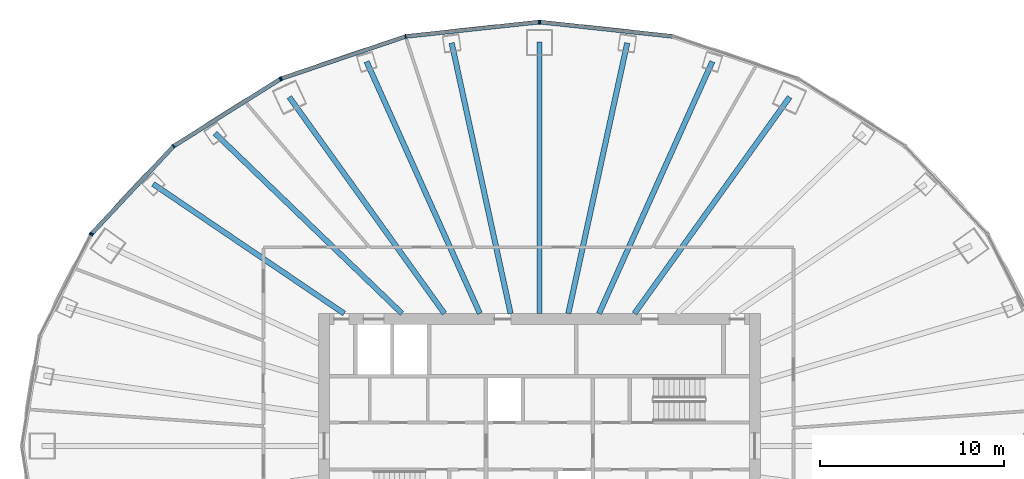
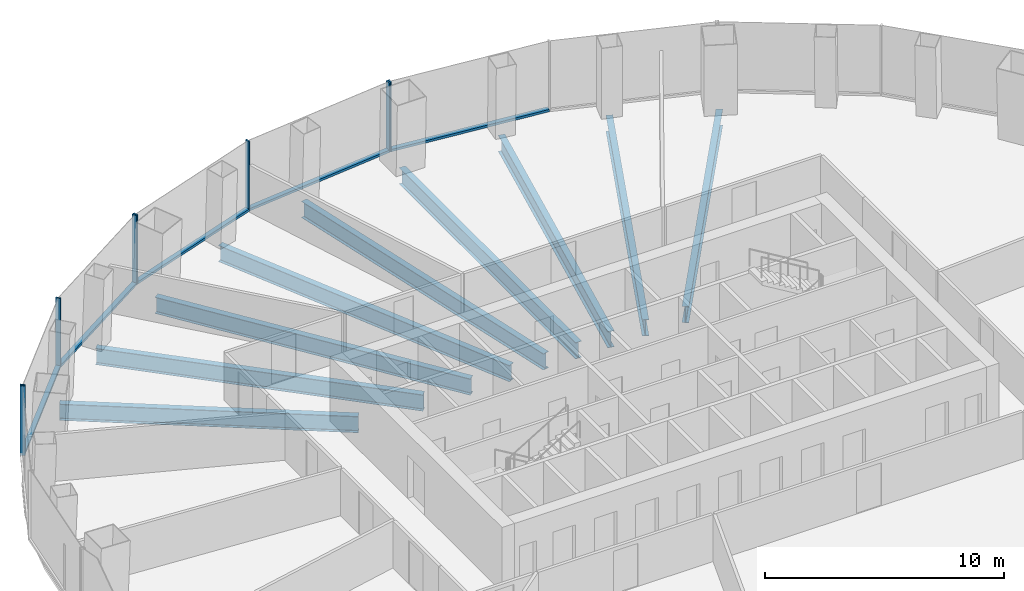
# One storey, part 5 of 11: 13 members, 9 beams, 4 elements without a shape of their own.
"""IFC4 building model written with IfcOpenShell, lengths in metres."""

from ifc_helpers import new_model, si_unit, direction, frame, origin, origin_2d, place, context, subcontext, project, spatial, rectangle, i_section, extrude, material, layer, layer_set, material_profile, profile_set, type_object, element, aggregate, save


model = new_model("IFC4")

# Units and contexts
model_context = context("Model", 3, precision=1e-05, world=origin(), true_north=direction((0.0, 1.0)))
body_context = subcontext(model_context, "Body", "Model", "MODEL_VIEW")
ifc_project = project(units=[si_unit("LENGTHUNIT", "METRE"), si_unit("AREAUNIT", "SQUARE_METRE"), si_unit("VOLUMEUNIT", "CUBIC_METRE"), si_unit("PLANEANGLEUNIT", "RADIAN"), si_unit("MASSUNIT", "GRAM", prefix="KILO")], contexts=[model_context])

# Site, building, storey
site_placement = place(None, origin())
site = spatial("IfcSite", under=ifc_project, at=site_placement, CompositionType="ELEMENT")
building_placement = place(site_placement, origin())
building = spatial("IfcBuilding", under=site, at=building_placement, Name="Siaravel Broadcast Tower", CompositionType="ELEMENT")
storey_placement = place(building_placement, frame((0.0, 0.0, 40.800048828125)))
storey = spatial("IfcBuildingStorey", under=building, at=storey_placement, Name="L08", CompositionType="ELEMENT", Elevation=40.800048828125)

# Beams
ifc_material_1 = material(Name="Steel S355", Category="steel")
ifc_material_profile_1 = material_profile(ifc_material_1, i_section(OverallWidth=0.291748046875, OverallDepth=0.8349609375, WebThickness=0.013916015625, FlangeThickness=0.018798828125, FilletRadius=0.017822265625, at=origin_2d()))
ifc_profile_set_1 = profile_set([ifc_material_profile_1], Name="Steel S355")
beam_type = type_object("IfcBeamType", Name="BM-UB 838x292x176", PredefinedType="BEAM", material=ifc_profile_set_1)
beam_1_placement = place(storey_placement, frame((13.5947265625, 18.960205078125, -0.567626953125), z_axis=(-0.582699127, -0.812687965, 0.0), x_axis=(0.812687965, -0.582699127, 0.0)))
element("IfcBeam", 1, at=beam_1_placement, inside=storey, type_object=beam_type, Name="Radial beam RB07", PredefinedType="BEAM", context=body_context, shape_type="SweptSolid", body=[
    extrude(i_section(OverallWidth=0.291748046875, OverallDepth=0.8349609375, WebThickness=0.013916015625, FlangeThickness=0.018798828125, FilletRadius=0.017822265625, at=origin_2d()), origin(), (0.0, 0.0, 1.0), 14.470703125),
])
beam_2_placement = place(storey_placement, frame((9.392578125, 20.885498046875, -0.567626953125), z_axis=(-0.410159013, -0.912014026, 0.0), x_axis=(0.912014026, -0.410159013, 0.0)))
element("IfcBeam", 2, at=beam_2_placement, inside=storey, type_object=beam_type, Name="Radial beam RB08", PredefinedType="BEAM", context=body_context, shape_type="SweptSolid", body=[
    extrude(i_section(OverallWidth=0.291748046875, OverallDepth=0.8349609375, WebThickness=0.013916015625, FlangeThickness=0.018798828125, FilletRadius=0.017822265625, at=origin_2d()), origin(), (0.0, 0.0, 1.0), 15.005859375),
])
beam_3_placement = place(storey_placement, frame((4.7705078125, 21.89990234375, -0.567626953125), z_axis=(-0.212842612, -0.977086497, 0.0), x_axis=(0.977086497, -0.212842612, 0.0)))
element("IfcBeam", 3, at=beam_3_placement, inside=storey, type_object=beam_type, Name="Radial beam RB09", PredefinedType="BEAM", context=body_context, shape_type="SweptSolid", body=[
    extrude(i_section(OverallWidth=0.291748046875, OverallDepth=0.8349609375, WebThickness=0.013916015625, FlangeThickness=0.018798828125, FilletRadius=0.017822265625, at=origin_2d()), origin(), (0.0, 0.0, 1.0), 15.044677734375),
])
beam_4_placement = place(storey_placement, frame((0.0, 21.94189453125, -0.567626953125), z_axis=(0.0, -1.0, 0.0), x_axis=(1.0, 0.0, 0.0)))
element("IfcBeam", 4, at=beam_4_placement, inside=storey, type_object=beam_type, Name="Radial beam RB10", PredefinedType="BEAM", context=body_context, shape_type="SweptSolid", body=[
    extrude(i_section(OverallWidth=0.291748046875, OverallDepth=0.8349609375, WebThickness=0.013916015625, FlangeThickness=0.018798828125, FilletRadius=0.017822265625, at=origin_2d()), origin(), (0.0, 0.0, 1.0), 14.741943359375),
])
beam_5_placement = place(storey_placement, frame((-4.7705078125, 21.89990234375, -0.567626953125), z_axis=(0.212842612, -0.977086497, 0.0), x_axis=(0.977086497, 0.212842612, 0.0)))
element("IfcBeam", 5, at=beam_5_placement, inside=storey, type_object=beam_type, Name="Radial beam RB11", PredefinedType="BEAM", context=body_context, shape_type="SweptSolid", body=[
    extrude(i_section(OverallWidth=0.291748046875, OverallDepth=0.8349609375, WebThickness=0.013916015625, FlangeThickness=0.018798828125, FilletRadius=0.017822265625, at=origin_2d()), origin(), (0.0, 0.0, 1.0), 15.044677734375),
])
beam_6_placement = place(storey_placement, frame((-9.392578125, 20.885498046875, -0.567626953125), z_axis=(0.410159013, -0.912014026, 0.0), x_axis=(0.912014026, 0.410159013, 0.0)))
element("IfcBeam", 6, at=beam_6_placement, inside=storey, type_object=beam_type, Name="Radial beam RB12", PredefinedType="BEAM", context=body_context, shape_type="SweptSolid", body=[
    extrude(i_section(OverallWidth=0.291748046875, OverallDepth=0.8349609375, WebThickness=0.013916015625, FlangeThickness=0.018798828125, FilletRadius=0.017822265625, at=origin_2d()), origin(), (0.0, 0.0, 1.0), 15.005859375),
])
beam_7_placement = place(storey_placement, frame((-13.5947265625, 18.960205078125, -0.567626953125), z_axis=(0.582699127, -0.812687965, 0.0), x_axis=(0.812687965, 0.582699127, 0.0)))
element("IfcBeam", 7, at=beam_7_placement, inside=storey, type_object=beam_type, Name="Radial beam RB13", PredefinedType="BEAM", context=body_context, shape_type="SweptSolid", body=[
    extrude(i_section(OverallWidth=0.291748046875, OverallDepth=0.8349609375, WebThickness=0.013916015625, FlangeThickness=0.018798828125, FilletRadius=0.017822265625, at=origin_2d()), origin(), (0.0, 0.0, 1.0), 14.470703125),
])
beam_8_placement = place(storey_placement, frame((-17.628662109375, 16.99169921875, -0.567626953125), z_axis=(0.719990643, -0.693983771, 0.0), x_axis=(0.693983771, 0.719990643, 0.0)))
element("IfcBeam", 8, at=beam_8_placement, inside=storey, type_object=beam_type, Name="Radial beam RB14", PredefinedType="BEAM", context=body_context, shape_type="SweptSolid", body=[
    extrude(i_section(OverallWidth=0.291748046875, OverallDepth=0.8349609375, WebThickness=0.013916015625, FlangeThickness=0.018798828125, FilletRadius=0.017822265625, at=origin_2d()), origin(), (0.0, 0.0, 1.0), 14.109375),
])
beam_9_placement = place(storey_placement, frame((-20.989990234375, 14.238525390625, -0.567626953125), z_axis=(0.827559775, -0.561377608, 0.0), x_axis=(0.561377608, 0.827559775, 0.0)))
element("IfcBeam", 9, at=beam_9_placement, inside=storey, type_object=beam_type, Name="Radial beam RB15", PredefinedType="BEAM", context=body_context, shape_type="SweptSolid", body=[
    extrude(i_section(OverallWidth=0.291748046875, OverallDepth=0.8349609375, WebThickness=0.013916015625, FlangeThickness=0.018798828125, FilletRadius=0.017822265625, at=origin_2d()), origin(), (0.0, 0.0, 1.0), 12.5380859375),
])

# Curtain wall, member
ifc_material_2 = material(Name="Aluminium 6063-T6", Category="aluminium")
ifc_layer = layer(ifc_material_2, 0.219970703125)
ifc_layer_set = layer_set([ifc_layer], Name="Aluminium 6063-T6")
curtain_wall_type = type_object("IfcCurtainWallType", Name="Unitised curtain wall, zone 1", PredefinedType="NOTDEFINED", material=ifc_layer_set)
curtain_wall_1_placement = place(storey_placement, origin())
curtain_wall_1 = element("IfcCurtainWall", 10, at=curtain_wall_1_placement, inside=storey, type_object=curtain_wall_type, Name="L08 Unitised curtain wall, zone 1 03", PredefinedType="NOTDEFINED")
ifc_material_profile_2 = material_profile(ifc_material_2, rectangle(XDim=0.219970703125, YDim=0.070068359375, at=origin_2d()))
ifc_profile_set_2 = profile_set([ifc_material_profile_2], Name="Aluminium 6063-T6")
member_type_1 = type_object("IfcMemberType", Name="CW-Z1 mullion", PredefinedType="MULLION", material=ifc_profile_set_2)
member_1_placement = place(storey_placement, frame((0.034912109375, 23.035400390625, 0.0), z_axis=(0.0, 0.0, 1.0), x_axis=(-0.107217509, -0.994235589, 0.0)))
member_1 = element("IfcMember", 11, at=member_1_placement, type_object=member_type_1, Name="CW-Z1 mullion 3", PredefinedType="MULLION", context=body_context, shape_type="SweptSolid", body=[
    extrude(rectangle(XDim=0.219970703125, YDim=0.070068359375, at=origin_2d()), origin(), (0.0, 0.0, 1.0), 3.550048828125),
])

# Curtain wall, members
curtain_wall_2_placement = place(storey_placement, origin())
curtain_wall_2 = element("IfcCurtainWall", 12, at=curtain_wall_2_placement, inside=storey, type_object=curtain_wall_type, Name="L08 Unitised curtain wall, zone 1 04", PredefinedType="NOTDEFINED")
member_2_placement = place(storey_placement, frame((-0.034912109375, 23.035400390625, 0.0), z_axis=(0.0, 0.0, 1.0), x_axis=(0.107217509, -0.994235589, 0.0)))
member_2 = element("IfcMember", 13, at=member_2_placement, type_object=member_type_1, Name="CW-Z1 mullion 1", PredefinedType="MULLION", context=body_context, shape_type="SweptSolid", body=[
    extrude(rectangle(XDim=0.219970703125, YDim=0.070068359375, at=origin_2d()), origin(), (0.0, 0.0, 1.0), 3.550048828125),
])
member_3_placement = place(storey_placement, frame((-7.27490234375, 22.2548828125, 0.0), z_axis=(0.0, 0.0, 1.0), x_axis=(0.215558083, -0.97649102, 0.0)))
member_3 = element("IfcMember", 14, at=member_3_placement, type_object=member_type_1, Name="CW-Z1 mullion 2", PredefinedType="MULLION", context=body_context, shape_type="SweptSolid", body=[
    extrude(rectangle(XDim=0.219970703125, YDim=0.070068359375, at=origin_2d()), origin(), (0.0, 0.0, 1.0), 3.550048828125),
])
member_4_placement = place(storey_placement, frame((-14.021240234375, 19.9658203125, 0.0), z_axis=(0.0, 0.0, 1.0), x_axis=(0.321300632, -0.946977246, 0.0)))
member_4 = element("IfcMember", 15, at=member_4_placement, type_object=member_type_1, Name="CW-Z1 mullion 3", PredefinedType="MULLION", context=body_context, shape_type="SweptSolid", body=[
    extrude(rectangle(XDim=0.219970703125, YDim=0.070068359375, at=origin_2d()), origin(), (0.0, 0.0, 1.0), 3.550048828125),
])

curtain_wall_3_placement = place(storey_placement, origin())
curtain_wall_3 = element("IfcCurtainWall", 16, at=curtain_wall_3_placement, inside=storey, type_object=curtain_wall_type, Name="L08 Unitised curtain wall, zone 1 05", PredefinedType="NOTDEFINED")
member_5_placement = place(storey_placement, frame((-14.083984375, 19.935791015625, 0.0), z_axis=(0.0, 0.0, 1.0), x_axis=(0.532149101, -0.846650657, 0.0)))
member_5 = element("IfcMember", 17, at=member_5_placement, type_object=member_type_1, Name="CW-Z1 mullion 1", PredefinedType="MULLION", context=body_context, shape_type="SweptSolid", body=[
    extrude(rectangle(XDim=0.219970703125, YDim=0.070068359375, at=origin_2d()), origin(), (0.0, 0.0, 1.0), 3.550048828125),
])
member_6_placement = place(storey_placement, frame((-19.87744140625, 16.294677734375, 0.0), z_axis=(0.0, 0.0, 1.0), x_axis=(0.63621841, -0.771508998, 0.0)))
member_6 = element("IfcMember", 18, at=member_6_placement, type_object=member_type_1, Name="CW-Z1 mullion 2", PredefinedType="MULLION", context=body_context, shape_type="SweptSolid", body=[
    extrude(rectangle(XDim=0.219970703125, YDim=0.070068359375, at=origin_2d()), origin(), (0.0, 0.0, 1.0), 3.550048828125),
])
member_7_placement = place(storey_placement, frame((-24.322998046875, 11.549072265625, 0.0), z_axis=(0.0, 0.0, 1.0), x_axis=(0.729804946, -0.683655426, 0.0)))
member_7 = element("IfcMember", 19, at=member_7_placement, type_object=member_type_1, Name="CW-Z1 mullion 3", PredefinedType="MULLION", context=body_context, shape_type="SweptSolid", body=[
    extrude(rectangle(XDim=0.219970703125, YDim=0.070068359375, at=origin_2d()), origin(), (0.0, 0.0, 1.0), 3.550048828125),
])

# Curtain wall, member
curtain_wall_4_placement = place(storey_placement, origin())
curtain_wall_4 = element("IfcCurtainWall", 20, at=curtain_wall_4_placement, inside=storey, type_object=curtain_wall_type, Name="L08 Unitised curtain wall, zone 1 06", PredefinedType="NOTDEFINED")
member_8_placement = place(storey_placement, frame((-24.362548828125, 11.4921875, 0.0), z_axis=(0.0, 0.0, 1.0), x_axis=(0.892391814, -0.451261399, 0.0)))
member_8 = element("IfcMember", 21, at=member_8_placement, type_object=member_type_1, Name="CW-Z1 mullion 1", PredefinedType="MULLION", context=body_context, shape_type="SweptSolid", body=[
    extrude(rectangle(XDim=0.219970703125, YDim=0.070068359375, at=origin_2d()), origin(), (0.0, 0.0, 1.0), 3.550048828125),
])
aggregate(curtain_wall_4, [member_8])

# Member
ifc_material_profile_3 = material_profile(ifc_material_2, rectangle(XDim=0.219970703125, YDim=0.1201171875, at=origin_2d()))
ifc_profile_set_3 = profile_set([ifc_material_profile_3], Name="Aluminium 6063-T6")
member_type_2 = type_object("IfcMemberType", Name="CW-Z1 transom", PredefinedType="USERDEFINED", material=ifc_profile_set_3)
member_9_placement = place(storey_placement, frame((7.239990234375, 22.258544921875, 0.06005859375), z_axis=(-0.994236438, 0.107209629, 0.0), x_axis=(-0.107209629, -0.994236438, 0.0)))
member_9 = element("IfcMember", 22, at=member_9_placement, type_object=member_type_2, Name="CW-Z1 transom 2", ObjectType="TRANSOM", PredefinedType="USERDEFINED", context=body_context, shape_type="SweptSolid", body=[
    extrude(rectangle(XDim=0.219970703125, YDim=0.1201171875, at=origin_2d()), origin(), (0.0, 0.0, 1.0), 7.2119140625),
])

aggregate(curtain_wall_1, [member_1, member_9])

member_10_placement = place(storey_placement, frame((-0.069580078125, 23.03173828125, 0.06005859375), z_axis=(-0.994236438, -0.107209629, 0.0), x_axis=(0.107209629, -0.994236438, 0.0)))
member_10 = element("IfcMember", 23, at=member_10_placement, type_object=member_type_2, Name="CW-Z1 transom 1", ObjectType="TRANSOM", PredefinedType="USERDEFINED", context=body_context, shape_type="SweptSolid", body=[
    extrude(rectangle(XDim=0.219970703125, YDim=0.1201171875, at=origin_2d()), origin(), (0.0, 0.0, 1.0), 7.2119140625),
])

member_11_placement = place(storey_placement, frame((-7.307861328125, 22.24365234375, 0.06005859375), z_axis=(-0.946973811, -0.321310754, 0.0), x_axis=(0.321310754, -0.946973811, 0.0)))
member_11 = element("IfcMember", 24, at=member_11_placement, type_object=member_type_2, Name="CW-Z1 transom 2", ObjectType="TRANSOM", PredefinedType="USERDEFINED", context=body_context, shape_type="SweptSolid", body=[
    extrude(rectangle(XDim=0.219970703125, YDim=0.1201171875, at=origin_2d()), origin(), (0.0, 0.0, 1.0), 7.05419921875),
])

aggregate(curtain_wall_2, [member_2, member_3, member_4, member_10, member_11])

member_12_placement = place(storey_placement, frame((-14.11376953125, 19.917236328125, 0.06005859375), z_axis=(-0.846656967, -0.532139062, 0.0), x_axis=(0.532139062, -0.846656967, 0.0)))
member_12 = element("IfcMember", 25, at=member_12_placement, type_object=member_type_2, Name="CW-Z1 transom 1", ObjectType="TRANSOM", PredefinedType="USERDEFINED", context=body_context, shape_type="SweptSolid", body=[
    extrude(rectangle(XDim=0.219970703125, YDim=0.1201171875, at=origin_2d()), origin(), (0.0, 0.0, 1.0), 6.772705078125),
])

member_13_placement = place(storey_placement, frame((-19.9013671875, 16.26904296875, 0.06005859375), z_axis=(-0.683654492, -0.72980582, 0.0), x_axis=(0.72980582, -0.683654492, 0.0)))
member_13 = element("IfcMember", 26, at=member_13_placement, type_object=member_type_2, Name="CW-Z1 transom 2", ObjectType="TRANSOM", PredefinedType="USERDEFINED", context=body_context, shape_type="SweptSolid", body=[
    extrude(rectangle(XDim=0.219970703125, YDim=0.1201171875, at=origin_2d()), origin(), (0.0, 0.0, 1.0), 6.4326171875),
])

aggregate(curtain_wall_3, [member_5, member_6, member_7, member_12, member_13])

save(model, "model.ifc")
